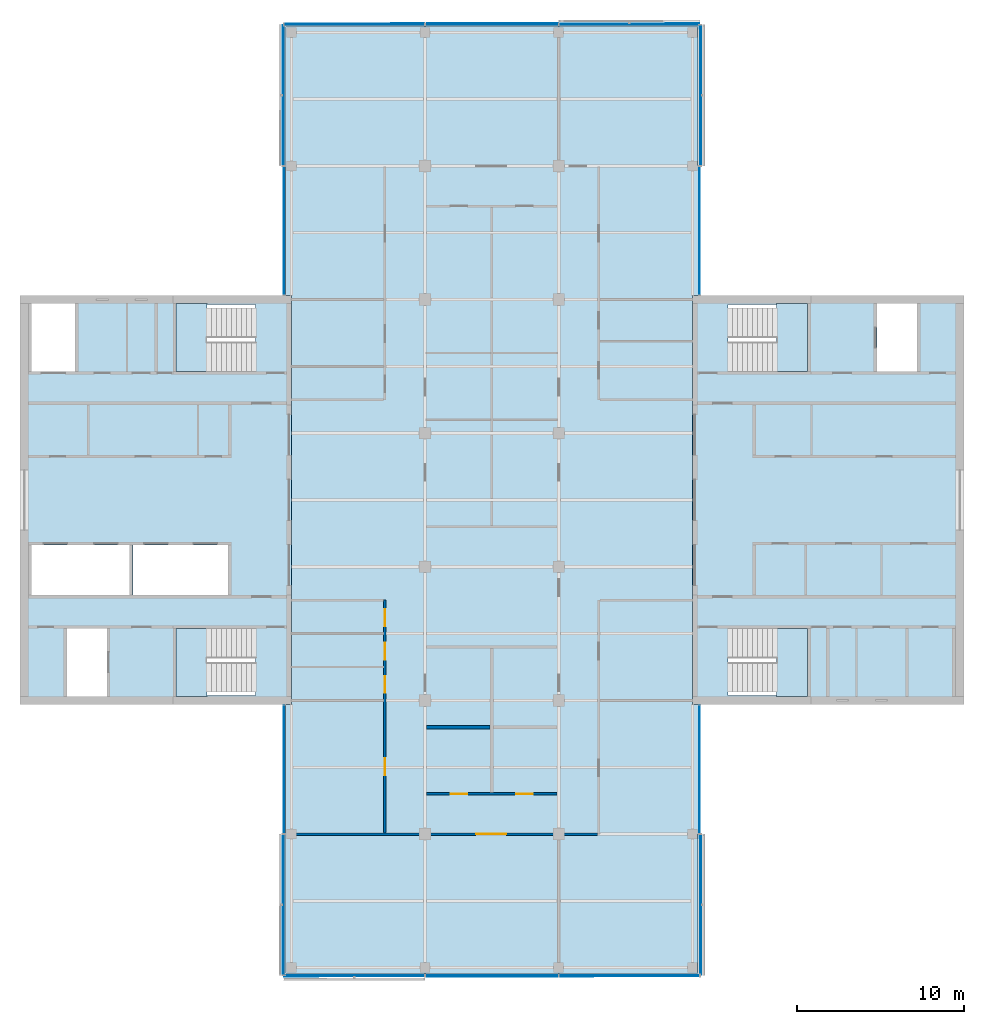
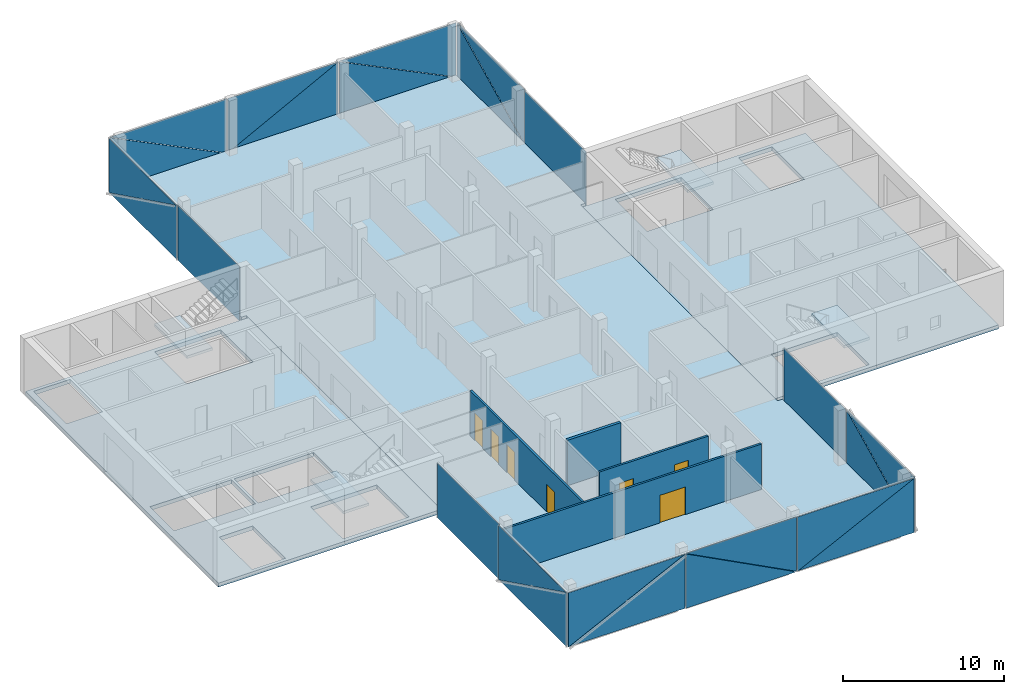
# One storey, part 8 of 16: 24 plates, 7 doors, 7 slabs, 4 walls, 7 openings, 14 elements without a shape of their own.
"""IFC4 building model written with IfcOpenShell, lengths in metres."""

from ifc_helpers import new_model, si_unit, direction, frame, frame_2d, origin, place, context, subcontext, project, spatial, polyline, rectangle, outline, extrude, material, layer, layer_set, type_object, element, fill, aggregate, save


model = new_model("IFC4")

# Units and contexts
model_context = context("Model", 3, precision=1e-05, world=origin(), true_north=direction((0.0, 1.0)))
body_context = subcontext(model_context, "Body", "Model", "MODEL_VIEW")
ifc_project = project(units=[si_unit("LENGTHUNIT", "METRE"), si_unit("AREAUNIT", "SQUARE_METRE"), si_unit("VOLUMEUNIT", "CUBIC_METRE"), si_unit("PLANEANGLEUNIT", "RADIAN"), si_unit("MASSUNIT", "GRAM", prefix="KILO")], contexts=[model_context])

# Site, building, storey
site_placement = place(None, origin())
site = spatial("IfcSite", under=ifc_project, at=site_placement, CompositionType="ELEMENT")
building_placement = place(site_placement, origin())
building = spatial("IfcBuilding", under=site, at=building_placement, Name="Crosswind Convention Tower", CompositionType="ELEMENT")
storey_placement = place(building_placement, frame((0.0, 0.0, 270.300048828125)))
storey = spatial("IfcBuildingStorey", under=building, at=storey_placement, Name="L58", CompositionType="ELEMENT", Elevation=270.300048828125)

# Slabs
ifc_material_1 = material(Name="Concrete C40/50", Category="concrete")
ifc_layer_1 = layer(ifc_material_1, 0.300048828125)
ifc_layer_set_1 = layer_set([ifc_layer_1], Name="Concrete C40/50")
slab_type_1 = type_object("IfcSlabType", Name="Composite floor slab 300", PredefinedType="FLOOR", material=ifc_layer_set_1)
slab_1_placement = place(storey_placement, frame((0.0, 0.0, -0.300048828125)))
element("IfcSlab", 1, at=slab_1_placement, inside=storey, type_object=slab_type_1, Name="Floor slab L58", PredefinedType="FLOOR", context=body_context, shape_type="SweptSolid", body=[
    extrude(outline(polyline([(137.35009765625, 71.64990234375), (137.0, 71.64990234375), (113.0, 71.64990234375), (112.64990234375, 71.64990234375), (112.64990234375, 72.0), (112.64990234375, 87.75), (113.0, 87.75), (113.0, 112.25), (112.64990234375, 112.25), (112.64990234375, 128.0), (112.64990234375, 128.35009765625), (113.0, 128.35009765625), (137.0, 128.35009765625), (137.35009765625, 128.35009765625), (137.35009765625, 128.0), (137.35009765625, 112.25), (137.0, 112.25), (137.0, 87.75), (137.35009765625, 87.75), (137.35009765625, 72.0), (137.35009765625, 71.64990234375)])), origin(), (0.0, 0.0, 1.0), 0.300048828125),
])
ifc_layer_2 = layer(ifc_material_1, 0.300048828125)
ifc_layer_set_2 = layer_set([ifc_layer_2], Name="Concrete C40/50")
slab_type_2 = type_object("IfcSlabType", Name="Concrete core floor slab 300", PredefinedType="FLOOR", material=ifc_layer_set_2)
slab_2_placement = place(storey_placement, frame((0.0, 0.0, -0.300048828125)))
element("IfcSlab", 2, at=slab_2_placement, inside=storey, type_object=slab_type_2, Name="Core floor slab E L58", PredefinedType="FLOOR", context=body_context, shape_type="SweptSolid", body=[
    extrude(outline(polyline([(137.0, 88.0), (153.0, 88.0), (153.0, 112.0), (137.0, 112.0), (137.0, 88.0)]), holes=[polyline([(150.449951171875, 107.699951171875), (150.449951171875, 111.75), (148.050048828125, 111.75), (148.050048828125, 107.699951171875), (150.449951171875, 107.699951171875)]), polyline([(143.89990234375, 107.699951171875), (143.89990234375, 111.699951171875), (139.14990234375, 111.699951171875), (139.14990234375, 107.699951171875), (143.89990234375, 107.699951171875)]), polyline([(143.89990234375, 88.300048828125), (143.89990234375, 92.300048828125), (139.14990234375, 92.300048828125), (139.14990234375, 88.300048828125), (143.89990234375, 88.300048828125)])]), origin(), (0.0, 0.0, 1.0), 0.300048828125),
])
slab_3_placement = place(storey_placement, frame((0.0, 0.0, -0.300048828125)))
element("IfcSlab", 3, at=slab_3_placement, inside=storey, type_object=slab_type_2, Name="Core floor slab W L58", PredefinedType="FLOOR", context=body_context, shape_type="SweptSolid", body=[
    extrude(outline(polyline([(97.0, 88.0), (113.0, 88.0), (113.0, 112.0), (97.0, 112.0), (97.0, 88.0)]), holes=[polyline([(109.199951171875, 94.300048828125), (109.199951171875, 97.300048828125), (103.5, 97.300048828125), (103.5, 94.300048828125), (109.199951171875, 94.300048828125)]), polyline([(103.300048828125, 94.300048828125), (103.300048828125, 97.300048828125), (97.449951171875, 97.300048828125), (97.449951171875, 94.300048828125), (103.300048828125, 94.300048828125)]), polyline([(101.949951171875, 88.25), (101.949951171875, 92.300048828125), (99.550048828125, 92.300048828125), (99.550048828125, 88.25), (101.949951171875, 88.25)]), polyline([(100.050048828125, 107.699951171875), (100.050048828125, 111.75), (97.449951171875, 111.75), (97.449951171875, 107.699951171875), (100.050048828125, 107.699951171875)]), polyline([(110.85009765625, 88.300048828125), (110.85009765625, 92.300048828125), (106.10009765625, 92.300048828125), (106.10009765625, 88.300048828125), (110.85009765625, 88.300048828125)]), polyline([(110.85009765625, 107.699951171875), (110.85009765625, 111.699951171875), (106.10009765625, 111.699951171875), (106.10009765625, 107.699951171875), (110.85009765625, 107.699951171875)])]), origin(), (0.0, 0.0, 1.0), 0.300048828125),
])

# Stair, slab
stair_type = type_object("IfcStairType", Name="Exit stair 1800 wide, 2 flights of 11 risers", PredefinedType="HALF_TURN_STAIR", material=ifc_material_1)
stair_1_placement = place(storey_placement, origin())
stair_1 = element("IfcStair", 4, at=stair_1_placement, inside=storey, type_object=stair_type, Name="Exit stair ST1 L58", ObjectType="ST5", PredefinedType="HALF_TURN_STAIR")
ifc_layer_3 = layer(ifc_material_1, 0.199951171875)
ifc_layer_set_3 = layer_set([ifc_layer_3], Name="Concrete C40/50")
slab_type_3 = type_object("IfcSlabType", Name="Stair landing 200", PredefinedType="LANDING", material=ifc_layer_set_3)
slab_4_placement = place(storey_placement, frame((0.0, 0.0, 1.89990234375)))
slab_4 = element("IfcSlab", 5, at=slab_4_placement, type_object=slab_type_3, Name="ST1 landing 1", PredefinedType="LANDING", context=body_context, shape_type="SweptSolid", body=[
    extrude(outline(polyline([(143.89990234375, 107.699951171875), (143.89990234375, 111.75), (142.050048828125, 111.75), (142.050048828125, 107.699951171875), (143.89990234375, 107.699951171875)])), origin(), (0.0, 0.0, 1.0), 0.199951171875),
])
aggregate(stair_1, [slab_4])

stair_2_placement = place(storey_placement, origin())
stair_2 = element("IfcStair", 6, at=stair_2_placement, inside=storey, type_object=stair_type, Name="Exit stair ST2 L58", ObjectType="ST5", PredefinedType="HALF_TURN_STAIR")
slab_5_placement = place(storey_placement, frame((0.0, 0.0, 1.89990234375)))
slab_5 = element("IfcSlab", 7, at=slab_5_placement, type_object=slab_type_3, Name="ST2 landing 1", PredefinedType="LANDING", context=body_context, shape_type="SweptSolid", body=[
    extrude(outline(polyline([(143.89990234375, 88.25), (143.89990234375, 92.300048828125), (142.050048828125, 92.300048828125), (142.050048828125, 88.25), (143.89990234375, 88.25)])), origin(), (0.0, 0.0, 1.0), 0.199951171875),
])
aggregate(stair_2, [slab_5])

stair_3_placement = place(storey_placement, origin())
stair_3 = element("IfcStair", 8, at=stair_3_placement, inside=storey, type_object=stair_type, Name="Exit stair ST3 L58", ObjectType="ST5", PredefinedType="HALF_TURN_STAIR")
slab_6_placement = place(storey_placement, frame((0.0, 0.0, 1.89990234375)))
slab_6 = element("IfcSlab", 9, at=slab_6_placement, type_object=slab_type_3, Name="ST3 landing 1", PredefinedType="LANDING", context=body_context, shape_type="SweptSolid", body=[
    extrude(outline(polyline([(107.949951171875, 88.25), (107.949951171875, 92.300048828125), (106.10009765625, 92.300048828125), (106.10009765625, 88.25), (107.949951171875, 88.25)])), origin(), (0.0, 0.0, 1.0), 0.199951171875),
])
aggregate(stair_3, [slab_6])

stair_4_placement = place(storey_placement, origin())
stair_4 = element("IfcStair", 10, at=stair_4_placement, inside=storey, type_object=stair_type, Name="Exit stair ST4 L58", ObjectType="ST5", PredefinedType="HALF_TURN_STAIR")
slab_7_placement = place(storey_placement, frame((0.0, 0.0, 1.89990234375)))
slab_7 = element("IfcSlab", 11, at=slab_7_placement, type_object=slab_type_3, Name="ST4 landing 1", PredefinedType="LANDING", context=body_context, shape_type="SweptSolid", body=[
    extrude(outline(polyline([(107.949951171875, 107.699951171875), (107.949951171875, 111.75), (106.10009765625, 111.75), (106.10009765625, 107.699951171875), (107.949951171875, 107.699951171875)])), origin(), (0.0, 0.0, 1.0), 0.199951171875),
])
aggregate(stair_4, [slab_7])

# Curtain wall, plate
ifc_material_2 = material(Name="Aluminium unitised curtain wall", Category="aluminium")
curtain_wall_type_1 = type_object("IfcCurtainWallType", Name="CORE END SLOT WALL 160", PredefinedType="USERDEFINED", material=ifc_material_2)
curtain_wall_1_placement = place(storey_placement, origin())
curtain_wall_1 = element("IfcCurtainWall", 12, at=curtain_wall_1_placement, inside=storey, type_object=curtain_wall_type_1, Name="CW6 L58 N-E.1-1 slot", ObjectType="UNITISED", PredefinedType="USERDEFINED")
ifc_material_3 = material(Name="Laminated insulating glass unit", Category="glass")
ifc_layer_4 = layer(ifc_material_3, 0.02587890625)
ifc_layer_set_4 = layer_set([ifc_layer_4], Name="TRIANGULAR GLASS PANEL 26")
plate_type_1 = type_object("IfcPlateType", Name="TRIANGULAR GLASS PANEL 26", PredefinedType="CURTAIN_PANEL", material=ifc_layer_set_4)
plate_1_placement = place(storey_placement, frame((137.456787109375, 112.300048828125, -0.300048828125), z_axis=(0.999999915205, 0.0, 0.00041181312), x_axis=(0.0, 1.0, 0.0)))
plate_1 = element("IfcPlate", 13, at=plate_1_placement, type_object=plate_type_1, Name="CW6 panel 1.1", PredefinedType="CURTAIN_PANEL", context=body_context, shape_type="SweptSolid", body=[
    extrude(outline(polyline([(0.0, 0.0), (7.64990234375, 0.0), (7.64990234375, 4.149902695641108), (0.0, 4.149902695641108), (0.0, 0.0)])), origin(), (0.0, 0.0, -1.0), 0.02587890625),
])
aggregate(curtain_wall_1, [plate_1])

curtain_wall_2_placement = place(storey_placement, origin())
curtain_wall_2 = element("IfcCurtainWall", 14, at=curtain_wall_2_placement, inside=storey, type_object=curtain_wall_type_1, Name="CW6 L58 N-W.1-2 slot", ObjectType="UNITISED", PredefinedType="USERDEFINED")
plate_2_placement = place(storey_placement, frame((112.543212890625, 119.949951171875, -0.300048828125), z_axis=(-0.999999915205, 0.0, 0.00041181312), x_axis=(0.0, -1.0, 0.0)))
plate_2 = element("IfcPlate", 15, at=plate_2_placement, type_object=plate_type_1, Name="CW6 panel 1.1", PredefinedType="CURTAIN_PANEL", context=body_context, shape_type="SweptSolid", body=[
    extrude(outline(polyline([(0.0, 0.0), (7.64990234375, 0.0), (7.64990234375, 4.149902695641108), (0.0, 4.149902695641108), (0.0, 0.0)])), origin(), (0.0, 0.0, -1.0), 0.02587890625),
])
aggregate(curtain_wall_2, [plate_2])

curtain_wall_3_placement = place(storey_placement, origin())
curtain_wall_3 = element("IfcCurtainWall", 16, at=curtain_wall_3_placement, inside=storey, type_object=curtain_wall_type_1, Name="CW6 L58 S-W.1-1 slot", ObjectType="UNITISED", PredefinedType="USERDEFINED")
plate_3_placement = place(storey_placement, frame((112.543212890625, 87.699951171875, -0.300048828125), z_axis=(-0.999999915205, 0.0, 0.00041181312), x_axis=(0.0, -1.0, 0.0)))
plate_3 = element("IfcPlate", 17, at=plate_3_placement, type_object=plate_type_1, Name="CW6 panel 1.1", PredefinedType="CURTAIN_PANEL", context=body_context, shape_type="SweptSolid", body=[
    extrude(outline(polyline([(0.0, 0.0), (7.64990234375, 0.0), (7.64990234375, 4.149902695641108), (0.0, 4.149902695641108), (0.0, 0.0)])), origin(), (0.0, 0.0, -1.0), 0.02587890625),
])
aggregate(curtain_wall_3, [plate_3])

curtain_wall_4_placement = place(storey_placement, origin())
curtain_wall_4 = element("IfcCurtainWall", 18, at=curtain_wall_4_placement, inside=storey, type_object=curtain_wall_type_1, Name="CW6 L58 S-E.1-2 slot", ObjectType="UNITISED", PredefinedType="USERDEFINED")
plate_4_placement = place(storey_placement, frame((137.456787109375, 80.050048828125, -0.300048828125), z_axis=(0.999999915205, 0.0, 0.00041181312), x_axis=(0.0, 1.0, 0.0)))
plate_4 = element("IfcPlate", 19, at=plate_4_placement, type_object=plate_type_1, Name="CW6 panel 1.1", PredefinedType="CURTAIN_PANEL", context=body_context, shape_type="SweptSolid", body=[
    extrude(outline(polyline([(0.0, 0.0), (7.64990234375, 0.0), (7.64990234375, 4.149902695641108), (0.0, 4.149902695641108), (0.0, 0.0)])), origin(), (0.0, 0.0, -1.0), 0.02587890625),
])
aggregate(curtain_wall_4, [plate_4])

# Curtain wall, plates
curtain_wall_type_2 = type_object("IfcCurtainWallType", Name="OFFICE UNITISED WALL 220", PredefinedType="USERDEFINED", material=ifc_material_2)
curtain_wall_5_placement = place(storey_placement, origin())
curtain_wall_5 = element("IfcCurtainWall", 20, at=curtain_wall_5_placement, inside=storey, type_object=curtain_wall_type_2, Name="CW3 L58 N-E 1", ObjectType="UNITISED", PredefinedType="USERDEFINED")
ifc_layer_5 = layer(ifc_material_3, 0.031982421875)
ifc_layer_set_5 = layer_set([ifc_layer_5], Name="TRIANGULAR GLASS PANEL 32")
plate_type_2 = type_object("IfcPlateType", Name="TRIANGULAR GLASS PANEL 32", PredefinedType="CURTAIN_PANEL", material=ifc_layer_set_5)
plate_5_placement = place(storey_placement, frame((137.492919921875, 128.425048828125, -0.300048828125), z_axis=(0.999999913924, 0.0, 0.000414913129), x_axis=(-0.000414913129, 0.0, 0.999999913924)))
plate_5 = element("IfcPlate", 21, at=plate_5_placement, type_object=plate_type_2, Name="CW3 panel 1.1", PredefinedType="CURTAIN_PANEL", context=body_context, shape_type="SweptSolid", body=[
    extrude(outline(polyline([(0.0, 0.0), (4.118896838915043, 0.0), (0.0, 8.367431640625), (0.0, 0.0)])), origin(), (0.0, 0.0, -1.0), 0.031982421875),
])
plate_6_placement = place(storey_placement, frame((137.525146484375, 120.034912109375, 3.829833984375), z_axis=(0.999999913913, 0.0, 0.000414937724), x_axis=(0.000414937724, 0.0, -0.999999913913)))
plate_6 = element("IfcPlate", 22, at=plate_6_placement, type_object=plate_type_2, Name="CW3 panel 1.2", PredefinedType="CURTAIN_PANEL", context=body_context, shape_type="SweptSolid", body=[
    extrude(outline(polyline([(0.0, 0.0), (4.118652698311059, 0.0), (0.0, 8.367431640625), (0.0, 0.0)])), origin(), (0.0, 0.0, -1.0), 0.031982421875),
])
aggregate(curtain_wall_5, [plate_5, plate_6])

curtain_wall_6_placement = place(storey_placement, origin())
curtain_wall_6 = element("IfcCurtainWall", 23, at=curtain_wall_6_placement, inside=storey, type_object=curtain_wall_type_2, Name="CW3 L58 N-TIP 1", ObjectType="UNITISED", PredefinedType="USERDEFINED")
plate_7_placement = place(storey_placement, frame((129.034912109375, 128.492919921875, -0.300048828125), z_axis=(0.0, 0.999999913924, 0.000414913129), x_axis=(0.0, -0.000414913129, 0.999999913924)))
plate_7 = element("IfcPlate", 24, at=plate_7_placement, type_object=plate_type_2, Name="CW3 panel 1.1", PredefinedType="CURTAIN_PANEL", context=body_context, shape_type="SweptSolid", body=[
    extrude(outline(polyline([(0.0, 0.0), (4.118896838915043, 0.0), (0.0, 8.367431640625), (0.0, 0.0)])), origin(), (0.0, 0.0, -1.0), 0.031982421875),
])
plate_8_placement = place(storey_placement, frame((137.425048828125, 128.525146484375, 3.829833984375), z_axis=(0.0, 0.999999913913, 0.000414937724), x_axis=(0.0, 0.000414937724, -0.999999913913)))
plate_8 = element("IfcPlate", 25, at=plate_8_placement, type_object=plate_type_2, Name="CW3 panel 1.2", PredefinedType="CURTAIN_PANEL", context=body_context, shape_type="SweptSolid", body=[
    extrude(outline(polyline([(0.0, 0.0), (4.118652698311059, 0.0), (0.0, 8.367431640625), (0.0, 0.0)])), origin(), (0.0, 0.0, -1.0), 0.031982421875),
])
plate_9_placement = place(storey_placement, frame((121.034912109375, 128.4912109375, 3.829833984375), z_axis=(0.0, 0.999999913913, 0.000414937724), x_axis=(1.0, 0.0, 0.0)))
plate_9 = element("IfcPlate", 26, at=plate_9_placement, type_object=plate_type_2, Name="CW3 panel 2.1", PredefinedType="CURTAIN_PANEL", context=body_context, shape_type="SweptSolid", body=[
    extrude(outline(polyline([(0.0, 0.0), (7.908447265625, 0.0), (0.0, 4.118652698311059), (0.0, 0.0)])), origin(), (0.0, 0.0, -1.0), 0.031982421875),
])
plate_10_placement = place(storey_placement, frame((128.965087890625, 128.52685546875, -0.300048828125), z_axis=(0.0, 0.999999913913, 0.000414937724), x_axis=(-1.0, 0.0, 0.0)))
plate_10 = element("IfcPlate", 27, at=plate_10_placement, type_object=plate_type_2, Name="CW3 panel 2.2", PredefinedType="CURTAIN_PANEL", context=body_context, shape_type="SweptSolid", body=[
    extrude(outline(polyline([(0.0, 0.0), (7.908447265625, 0.0), (0.0, 4.118652698311059), (0.0, 0.0)])), origin(), (0.0, 0.0, -1.0), 0.031982421875),
])
plate_11_placement = place(storey_placement, frame((112.574951171875, 128.492919921875, -0.300048828125), z_axis=(0.0, 0.999999913924, 0.000414913129), x_axis=(0.0, -0.000414913129, 0.999999913924)))
plate_11 = element("IfcPlate", 28, at=plate_11_placement, type_object=plate_type_2, Name="CW3 panel 3.1", PredefinedType="CURTAIN_PANEL", context=body_context, shape_type="SweptSolid", body=[
    extrude(outline(polyline([(0.0, 0.0), (4.118896838915043, 0.0), (0.0, 8.367431640625), (0.0, 0.0)])), origin(), (0.0, 0.0, -1.0), 0.031982421875),
])
plate_12_placement = place(storey_placement, frame((120.965087890625, 128.525146484375, 3.829833984375), z_axis=(0.0, 0.999999913913, 0.000414937724), x_axis=(0.0, 0.000414937724, -0.999999913913)))
plate_12 = element("IfcPlate", 29, at=plate_12_placement, type_object=plate_type_2, Name="CW3 panel 3.2", PredefinedType="CURTAIN_PANEL", context=body_context, shape_type="SweptSolid", body=[
    extrude(outline(polyline([(0.0, 0.0), (4.118652698311059, 0.0), (0.0, 8.367431640625), (0.0, 0.0)])), origin(), (0.0, 0.0, -1.0), 0.031982421875),
])
aggregate(curtain_wall_6, [plate_7, plate_8, plate_9, plate_10, plate_11, plate_12])

curtain_wall_7_placement = place(storey_placement, origin())
curtain_wall_7 = element("IfcCurtainWall", 30, at=curtain_wall_7_placement, inside=storey, type_object=curtain_wall_type_2, Name="CW3 L58 N-W 1", ObjectType="UNITISED", PredefinedType="USERDEFINED")
plate_13_placement = place(storey_placement, frame((112.507080078125, 120.034912109375, -0.300048828125), z_axis=(-0.999999913924, 0.0, 0.000414913129), x_axis=(0.000414913129, 0.0, 0.999999913924)))
plate_13 = element("IfcPlate", 31, at=plate_13_placement, type_object=plate_type_2, Name="CW3 panel 1.1", PredefinedType="CURTAIN_PANEL", context=body_context, shape_type="SweptSolid", body=[
    extrude(outline(polyline([(0.0, 0.0), (4.118896838915043, 0.0), (0.0, 8.367431640625), (0.0, 0.0)])), origin(), (0.0, 0.0, -1.0), 0.031982421875),
])
plate_14_placement = place(storey_placement, frame((112.474853515625, 128.425048828125, 3.829833984375), z_axis=(-0.999999913913, 0.0, 0.000414937724), x_axis=(-0.000414937724, 0.0, -0.999999913913)))
plate_14 = element("IfcPlate", 32, at=plate_14_placement, type_object=plate_type_2, Name="CW3 panel 1.2", PredefinedType="CURTAIN_PANEL", context=body_context, shape_type="SweptSolid", body=[
    extrude(outline(polyline([(0.0, 0.0), (4.118652698311059, 0.0), (0.0, 8.367431640625), (0.0, 0.0)])), origin(), (0.0, 0.0, -1.0), 0.031982421875),
])
aggregate(curtain_wall_7, [plate_13, plate_14])

curtain_wall_8_placement = place(storey_placement, origin())
curtain_wall_8 = element("IfcCurtainWall", 33, at=curtain_wall_8_placement, inside=storey, type_object=curtain_wall_type_2, Name="CW3 L58 S-W 1", ObjectType="UNITISED", PredefinedType="USERDEFINED")
plate_15_placement = place(storey_placement, frame((112.507080078125, 71.574951171875, -0.300048828125), z_axis=(-0.999999913924, 0.0, 0.000414913129), x_axis=(0.000414913129, 0.0, 0.999999913924)))
plate_15 = element("IfcPlate", 34, at=plate_15_placement, type_object=plate_type_2, Name="CW3 panel 1.1", PredefinedType="CURTAIN_PANEL", context=body_context, shape_type="SweptSolid", body=[
    extrude(outline(polyline([(0.0, 0.0), (4.118896838915043, 0.0), (0.0, 8.367431640625), (0.0, 0.0)])), origin(), (0.0, 0.0, -1.0), 0.031982421875),
])
plate_16_placement = place(storey_placement, frame((112.474853515625, 79.965087890625, 3.829833984375), z_axis=(-0.999999913913, 0.0, 0.000414937724), x_axis=(-0.000414937724, 0.0, -0.999999913913)))
plate_16 = element("IfcPlate", 35, at=plate_16_placement, type_object=plate_type_2, Name="CW3 panel 1.2", PredefinedType="CURTAIN_PANEL", context=body_context, shape_type="SweptSolid", body=[
    extrude(outline(polyline([(0.0, 0.0), (4.118652698311059, 0.0), (0.0, 8.367431640625), (0.0, 0.0)])), origin(), (0.0, 0.0, -1.0), 0.031982421875),
])
aggregate(curtain_wall_8, [plate_15, plate_16])

curtain_wall_9_placement = place(storey_placement, origin())
curtain_wall_9 = element("IfcCurtainWall", 36, at=curtain_wall_9_placement, inside=storey, type_object=curtain_wall_type_2, Name="CW3 L58 S-TIP 1", ObjectType="UNITISED", PredefinedType="USERDEFINED")
plate_17_placement = place(storey_placement, frame((120.965087890625, 71.507080078125, -0.300048828125), z_axis=(0.0, -0.999999913924, 0.000414913129), x_axis=(0.0, 0.000414913129, 0.999999913924)))
plate_17 = element("IfcPlate", 37, at=plate_17_placement, type_object=plate_type_2, Name="CW3 panel 1.1", PredefinedType="CURTAIN_PANEL", context=body_context, shape_type="SweptSolid", body=[
    extrude(outline(polyline([(0.0, 0.0), (4.118896838915043, 0.0), (0.0, 8.367431640625), (0.0, 0.0)])), origin(), (0.0, 0.0, -1.0), 0.031982421875),
])
plate_18_placement = place(storey_placement, frame((112.574951171875, 71.474853515625, 3.829833984375), z_axis=(0.0, -0.999999913913, 0.000414937724), x_axis=(0.0, -0.000414937724, -0.999999913913)))
plate_18 = element("IfcPlate", 38, at=plate_18_placement, type_object=plate_type_2, Name="CW3 panel 1.2", PredefinedType="CURTAIN_PANEL", context=body_context, shape_type="SweptSolid", body=[
    extrude(outline(polyline([(0.0, 0.0), (4.118652698311059, 0.0), (0.0, 8.367431640625), (0.0, 0.0)])), origin(), (0.0, 0.0, -1.0), 0.031982421875),
])
plate_19_placement = place(storey_placement, frame((128.965087890625, 71.5087890625, 3.829833984375), z_axis=(0.0, -0.999999913913, 0.000414937724), x_axis=(-1.0, 0.0, 0.0)))
plate_19 = element("IfcPlate", 39, at=plate_19_placement, type_object=plate_type_2, Name="CW3 panel 2.1", PredefinedType="CURTAIN_PANEL", context=body_context, shape_type="SweptSolid", body=[
    extrude(outline(polyline([(0.0, 0.0), (7.908447265625, 0.0), (0.0, 4.118652698311059), (0.0, 0.0)])), origin(), (0.0, 0.0, -1.0), 0.031982421875),
])
plate_20_placement = place(storey_placement, frame((121.034912109375, 71.47314453125, -0.300048828125), z_axis=(0.0, -0.999999913913, 0.000414937724), x_axis=(1.0, 0.0, 0.0)))
plate_20 = element("IfcPlate", 40, at=plate_20_placement, type_object=plate_type_2, Name="CW3 panel 2.2", PredefinedType="CURTAIN_PANEL", context=body_context, shape_type="SweptSolid", body=[
    extrude(outline(polyline([(0.0, 0.0), (7.908447265625, 0.0), (0.0, 4.118652698311059), (0.0, 0.0)])), origin(), (0.0, 0.0, -1.0), 0.031982421875),
])
plate_21_placement = place(storey_placement, frame((137.425048828125, 71.507080078125, -0.300048828125), z_axis=(0.0, -0.999999913924, 0.000414913129), x_axis=(0.0, 0.000414913129, 0.999999913924)))
plate_21 = element("IfcPlate", 41, at=plate_21_placement, type_object=plate_type_2, Name="CW3 panel 3.1", PredefinedType="CURTAIN_PANEL", context=body_context, shape_type="SweptSolid", body=[
    extrude(outline(polyline([(0.0, 0.0), (4.118896838915043, 0.0), (0.0, 8.367431640625), (0.0, 0.0)])), origin(), (0.0, 0.0, -1.0), 0.031982421875),
])
plate_22_placement = place(storey_placement, frame((129.034912109375, 71.474853515625, 3.829833984375), z_axis=(0.0, -0.999999913913, 0.000414937724), x_axis=(0.0, -0.000414937724, -0.999999913913)))
plate_22 = element("IfcPlate", 42, at=plate_22_placement, type_object=plate_type_2, Name="CW3 panel 3.2", PredefinedType="CURTAIN_PANEL", context=body_context, shape_type="SweptSolid", body=[
    extrude(outline(polyline([(0.0, 0.0), (4.118652698311059, 0.0), (0.0, 8.367431640625), (0.0, 0.0)])), origin(), (0.0, 0.0, -1.0), 0.031982421875),
])
aggregate(curtain_wall_9, [plate_17, plate_18, plate_19, plate_20, plate_21, plate_22])

curtain_wall_10_placement = place(storey_placement, origin())
curtain_wall_10 = element("IfcCurtainWall", 43, at=curtain_wall_10_placement, inside=storey, type_object=curtain_wall_type_2, Name="CW3 L58 S-E 1", ObjectType="UNITISED", PredefinedType="USERDEFINED")
plate_23_placement = place(storey_placement, frame((137.492919921875, 79.965087890625, -0.300048828125), z_axis=(0.999999913924, 0.0, 0.000414913129), x_axis=(-0.000414913129, 0.0, 0.999999913924)))
plate_23 = element("IfcPlate", 44, at=plate_23_placement, type_object=plate_type_2, Name="CW3 panel 1.1", PredefinedType="CURTAIN_PANEL", context=body_context, shape_type="SweptSolid", body=[
    extrude(outline(polyline([(0.0, 0.0), (4.118896838915043, 0.0), (0.0, 8.367431640625), (0.0, 0.0)])), origin(), (0.0, 0.0, -1.0), 0.031982421875),
])
plate_24_placement = place(storey_placement, frame((137.525146484375, 71.574951171875, 3.829833984375), z_axis=(0.999999913913, 0.0, 0.000414937724), x_axis=(0.000414937724, 0.0, -0.999999913913)))
plate_24 = element("IfcPlate", 45, at=plate_24_placement, type_object=plate_type_2, Name="CW3 panel 1.2", PredefinedType="CURTAIN_PANEL", context=body_context, shape_type="SweptSolid", body=[
    extrude(outline(polyline([(0.0, 0.0), (4.118652698311059, 0.0), (0.0, 8.367431640625), (0.0, 0.0)])), origin(), (0.0, 0.0, -1.0), 0.031982421875),
])
aggregate(curtain_wall_10, [plate_23, plate_24])

# Wall
ifc_material_4 = material(Name="Concrete blockwork", Category="masonry")
ifc_layer_6 = layer(ifc_material_4, 0.199951171875)
ifc_layer_set_6 = layer_set([ifc_layer_6], Name="COMPARTMENT WALL 200 BLOCKWORK")
wall_type_1 = type_object("IfcWallType", Name="COMPARTMENT WALL 200 BLOCKWORK", PredefinedType="SOLIDWALL", material=ifc_layer_set_6)
wall_1_placement = place(storey_placement, frame((121.074951171875, 86.39990234375, 0.0), z_axis=(0.0, 0.0, 1.0), x_axis=(1.0, 0.0, 0.0)))
element("IfcWall", 46, at=wall_1_placement, inside=storey, type_object=wall_type_1, Name="Compartment wall WT42", PredefinedType="SOLIDWALL", context=body_context, shape_type="SweptSolid", body=[
    extrude(rectangle(XDim=3.824951171875, YDim=0.199951171875, at=frame_2d((1.91259765625, 0.0))), origin(), (0.0, 0.0, 1.0), 3.44287109375),
])

# Wall, openings, doors
ifc_material_5 = material(Name="Fire-board partition with mineral wool", Category="gypsum")
ifc_layer_7 = layer(ifc_material_5, 0.14990234375)
ifc_layer_set_7 = layer_set([ifc_layer_7], Name="TENANCY WALL 150 TWO-HOUR BOARD")
wall_type_2 = type_object("IfcWallType", Name="TENANCY WALL 150 TWO-HOUR BOARD", PredefinedType="PARTITIONING", material=ifc_layer_set_7)
wall_2_placement = place(storey_placement, frame((118.60009765625, 80.074951171875, 0.0), z_axis=(0.0, 0.0, 1.0), x_axis=(0.0, 1.0, 0.0)))
wall_2 = element("IfcWall", 47, at=wall_2_placement, inside=storey, type_object=wall_type_2, Name="Tenancy wall WT41", PredefinedType="PARTITIONING", context=body_context, shape_type="SweptSolid", body=[
    extrude(rectangle(XDim=13.925048828125, YDim=0.14990234375, at=frame_2d((6.96240234375, 0.0))), origin(), (0.0, 0.0, 1.0), 3.44287109375),
])
opening_1_placement = place(wall_2_placement, frame((12.375, 0.0, 0.0)))
opening_1 = element("IfcOpeningElement", 48, at=opening_1_placement, cuts=wall_2, Name="Opening L58-58", PredefinedType="OPENING", context=body_context, shape_type="SweptSolid", body=[
    extrude(rectangle(XDim=1.0, YDim=2.10009765625, at=frame_2d((0.5, 1.050048828125))), frame((0.0, 0.0849609375, 0.0), z_axis=(0.0, -1.0, 0.0), x_axis=(1.0, 0.0, 0.0)), (0.0, 0.0, 1.0), 0.169921875),
])
opening_2_placement = place(wall_2_placement, frame((10.375, 0.0, 0.0)))
opening_2 = element("IfcOpeningElement", 49, at=opening_2_placement, cuts=wall_2, Name="Opening L58-59", PredefinedType="OPENING", context=body_context, shape_type="SweptSolid", body=[
    extrude(rectangle(XDim=1.0, YDim=2.10009765625, at=frame_2d((0.5, 1.050048828125))), frame((0.0, 0.0849609375, 0.0), z_axis=(0.0, -1.0, 0.0), x_axis=(1.0, 0.0, 0.0)), (0.0, 0.0, 1.0), 0.169921875),
])
opening_3_placement = place(wall_2_placement, frame((8.375, 0.0, 0.0)))
opening_3 = element("IfcOpeningElement", 50, at=opening_3_placement, cuts=wall_2, Name="Opening L58-60", PredefinedType="OPENING", context=body_context, shape_type="SweptSolid", body=[
    extrude(rectangle(XDim=1.0, YDim=2.10009765625, at=frame_2d((0.5, 1.050048828125))), frame((0.0, 0.0849609375, 0.0), z_axis=(0.0, -1.0, 0.0), x_axis=(1.0, 0.0, 0.0)), (0.0, 0.0, 1.0), 0.169921875),
])
opening_4_placement = place(wall_2_placement, frame((3.449951171875, 0.0, 0.0)))
opening_4 = element("IfcOpeningElement", 51, at=opening_4_placement, cuts=wall_2, Name="Opening L58-61", PredefinedType="OPENING", context=body_context, shape_type="SweptSolid", body=[
    extrude(rectangle(XDim=1.0, YDim=2.10009765625, at=frame_2d((0.5, 1.050048828125))), frame((0.0, 0.0849609375, 0.0), z_axis=(0.0, -1.0, 0.0), x_axis=(1.0, 0.0, 0.0)), (0.0, 0.0, 1.0), 0.169921875),
])
ifc_material_6 = material(Name="Timber fire door", Category="wood")
door_type_1 = type_object("IfcDoorType", Name="TENANCY ENTRANCE DOOR 1000X2100 FD30S", OperationType="NOTDEFINED", PredefinedType="DOOR", material=ifc_material_6)
door_1_placement = place(opening_1_placement, origin())
door_1 = element("IfcDoor", 52, at=door_1_placement, inside=storey, type_object=door_type_1, Name="Door L58-58", ObjectType="D41", OperationType="SINGLE_SWING_LEFT", OverallHeight=2.10009765625, OverallWidth=1.0, PredefinedType="DOOR", context=body_context, shape_type="SweptSolid", body=[
    extrude(rectangle(XDim=1.0, YDim=2.10009765625, at=frame_2d((0.5, 1.050048828125))), frame((0.0, 0.02490234375, 0.0), z_axis=(0.0, -1.0, 0.0), x_axis=(1.0, 0.0, 0.0)), (0.0, 0.0, 1.0), 0.050048828125),
])
fill(opening_1, door_1)
door_2_placement = place(opening_2_placement, origin())
door_2 = element("IfcDoor", 53, at=door_2_placement, inside=storey, type_object=door_type_1, Name="Door L58-59", ObjectType="D41", OperationType="SINGLE_SWING_LEFT", OverallHeight=2.10009765625, OverallWidth=1.0, PredefinedType="DOOR", context=body_context, shape_type="SweptSolid", body=[
    extrude(rectangle(XDim=1.0, YDim=2.10009765625, at=frame_2d((0.5, 1.050048828125))), frame((0.0, 0.02490234375, 0.0), z_axis=(0.0, -1.0, 0.0), x_axis=(1.0, 0.0, 0.0)), (0.0, 0.0, 1.0), 0.050048828125),
])
fill(opening_2, door_2)
door_3_placement = place(opening_3_placement, origin())
door_3 = element("IfcDoor", 54, at=door_3_placement, inside=storey, type_object=door_type_1, Name="Door L58-60", ObjectType="D41", OperationType="SINGLE_SWING_LEFT", OverallHeight=2.10009765625, OverallWidth=1.0, PredefinedType="DOOR", context=body_context, shape_type="SweptSolid", body=[
    extrude(rectangle(XDim=1.0, YDim=2.10009765625, at=frame_2d((0.5, 1.050048828125))), frame((0.0, 0.02490234375, 0.0), z_axis=(0.0, -1.0, 0.0), x_axis=(1.0, 0.0, 0.0)), (0.0, 0.0, 1.0), 0.050048828125),
])
fill(opening_3, door_3)
door_4_placement = place(opening_4_placement, origin())
door_4 = element("IfcDoor", 55, at=door_4_placement, inside=storey, type_object=door_type_1, Name="Door L58-61", ObjectType="D41", OperationType="SINGLE_SWING_RIGHT", OverallHeight=2.10009765625, OverallWidth=1.0, PredefinedType="DOOR", context=body_context, shape_type="SweptSolid", body=[
    extrude(rectangle(XDim=1.0, YDim=2.10009765625, at=frame_2d((0.5, 1.050048828125))), frame((0.0, 0.02490234375, 0.0), z_axis=(0.0, -1.0, 0.0), x_axis=(1.0, 0.0, 0.0)), (0.0, 0.0, 1.0), 0.050048828125),
])
fill(opening_4, door_4)

# Wall, opening, door
wall_3_placement = place(storey_placement, frame((112.72998046875, 80.0, 0.0), z_axis=(0.0, 0.0, 1.0), x_axis=(1.0, 0.0, 0.0)))
wall_3 = element("IfcWall", 56, at=wall_3_placement, inside=storey, type_object=wall_type_2, Name="Tenancy wall WT41", PredefinedType="PARTITIONING", context=body_context, shape_type="SweptSolid", body=[
    extrude(rectangle(XDim=18.594970703125, YDim=0.14990234375, at=frame_2d((9.29736328125, 0.0))), origin(), (0.0, 0.0, 1.0), 3.44287109375),
])
opening_5_placement = place(wall_3_placement, frame((11.320068359375, 0.0, 0.0)))
opening_5 = element("IfcOpeningElement", 57, at=opening_5_placement, cuts=wall_3, Name="Opening L58-64", PredefinedType="OPENING", context=body_context, shape_type="SweptSolid", body=[
    extrude(rectangle(XDim=1.800048828125, YDim=2.10009765625, at=frame_2d((0.89990234375, 1.050048828125))), frame((0.0, 0.0849609375, 0.0), z_axis=(0.0, -1.0, 0.0), x_axis=(1.0, 0.0, 0.0)), (0.0, 0.0, 1.0), 0.169921875),
])
door_type_2 = type_object("IfcDoorType", Name="TENANCY ENTRANCE DOUBLE DOOR 1800X2100 FD30S", OperationType="DOUBLE_DOOR_SINGLE_SWING", PredefinedType="DOOR", material=ifc_material_6)
door_5_placement = place(opening_5_placement, frame((1.800048828125, 0.0, 0.0), z_axis=(0.0, 0.0, 1.0), x_axis=(-1.0, 0.0, 0.0)))
door_5 = element("IfcDoor", 58, at=door_5_placement, inside=storey, type_object=door_type_2, Name="Door L58-64", ObjectType="D42", OperationType="DOUBLE_DOOR_SINGLE_SWING", OverallHeight=2.10009765625, OverallWidth=1.800048828125, PredefinedType="DOOR", context=body_context, shape_type="SweptSolid", body=[
    extrude(rectangle(XDim=1.800048828125, YDim=2.10009765625, at=frame_2d((0.89990234375, 1.050048828125))), frame((0.0, 0.02490234375, 0.0), z_axis=(0.0, -1.0, 0.0), x_axis=(1.0, 0.0, 0.0)), (0.0, 0.0, 1.0), 0.050048828125),
])
fill(opening_5, door_5)

# Wall, openings, doors
wall_4_placement = place(storey_placement, frame((121.074951171875, 82.39990234375, 0.0), z_axis=(0.0, 0.0, 1.0), x_axis=(1.0, 0.0, 0.0)))
wall_4 = element("IfcWall", 59, at=wall_4_placement, inside=storey, type_object=wall_type_2, Name="Tenancy wall WT41", PredefinedType="PARTITIONING", context=body_context, shape_type="SweptSolid", body=[
    extrude(rectangle(XDim=7.824951171875, YDim=0.14990234375, at=frame_2d((3.91259765625, 0.0))), origin(), (0.0, 0.0, 1.0), 3.44287109375),
])
opening_6_placement = place(wall_4_placement, frame((1.449951171875, 0.0, 0.0)))
opening_6 = element("IfcOpeningElement", 60, at=opening_6_placement, cuts=wall_4, Name="Opening L58-65", PredefinedType="OPENING", context=body_context, shape_type="SweptSolid", body=[
    extrude(rectangle(XDim=1.0, YDim=2.10009765625, at=frame_2d((0.5, 1.050048828125))), frame((0.0, 0.0849609375, 0.0), z_axis=(0.0, -1.0, 0.0), x_axis=(1.0, 0.0, 0.0)), (0.0, 0.0, 1.0), 0.169921875),
])
opening_7_placement = place(wall_4_placement, frame((5.375, 0.0, 0.0)))
opening_7 = element("IfcOpeningElement", 61, at=opening_7_placement, cuts=wall_4, Name="Opening L58-66", PredefinedType="OPENING", context=body_context, shape_type="SweptSolid", body=[
    extrude(rectangle(XDim=1.0, YDim=2.10009765625, at=frame_2d((0.5, 1.050048828125))), frame((0.0, 0.0849609375, 0.0), z_axis=(0.0, -1.0, 0.0), x_axis=(1.0, 0.0, 0.0)), (0.0, 0.0, 1.0), 0.169921875),
])
door_6_placement = place(opening_6_placement, origin())
door_6 = element("IfcDoor", 62, at=door_6_placement, inside=storey, type_object=door_type_1, Name="Door L58-65", ObjectType="D41", OperationType="SINGLE_SWING_RIGHT", OverallHeight=2.10009765625, OverallWidth=1.0, PredefinedType="DOOR", context=body_context, shape_type="SweptSolid", body=[
    extrude(rectangle(XDim=1.0, YDim=2.10009765625, at=frame_2d((0.5, 1.050048828125))), frame((0.0, 0.02490234375, 0.0), z_axis=(0.0, -1.0, 0.0), x_axis=(1.0, 0.0, 0.0)), (0.0, 0.0, 1.0), 0.050048828125),
])
fill(opening_6, door_6)
door_7_placement = place(opening_7_placement, origin())
door_7 = element("IfcDoor", 63, at=door_7_placement, inside=storey, type_object=door_type_1, Name="Door L58-66", ObjectType="D41", OperationType="SINGLE_SWING_LEFT", OverallHeight=2.10009765625, OverallWidth=1.0, PredefinedType="DOOR", context=body_context, shape_type="SweptSolid", body=[
    extrude(rectangle(XDim=1.0, YDim=2.10009765625, at=frame_2d((0.5, 1.050048828125))), frame((0.0, 0.02490234375, 0.0), z_axis=(0.0, -1.0, 0.0), x_axis=(1.0, 0.0, 0.0)), (0.0, 0.0, 1.0), 0.050048828125),
])
fill(opening_7, door_7)

save(model, "model.ifc")
